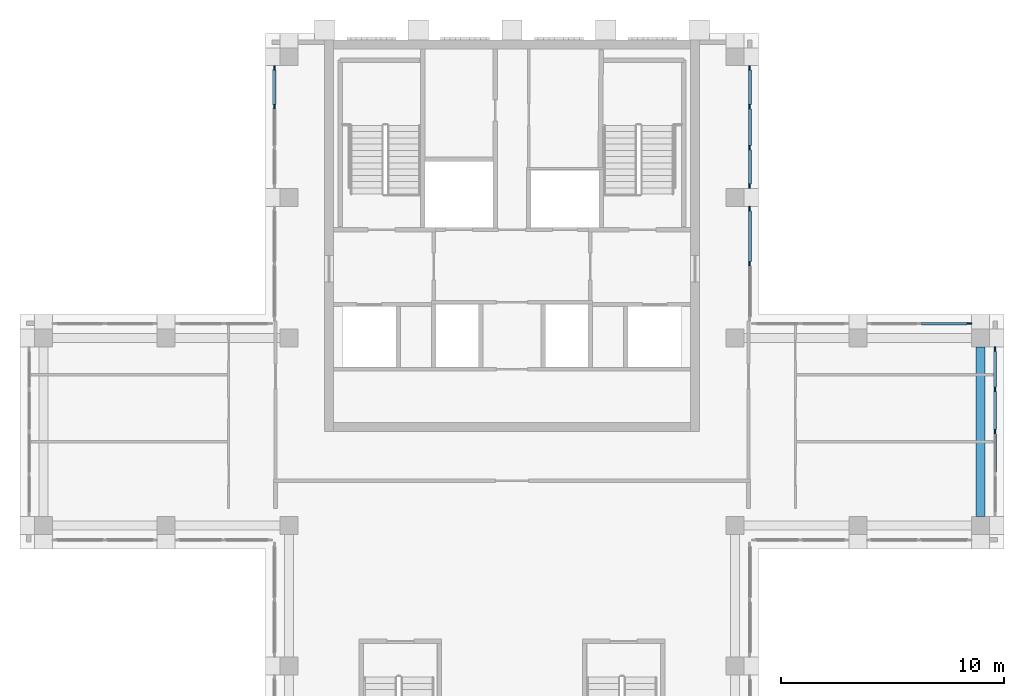
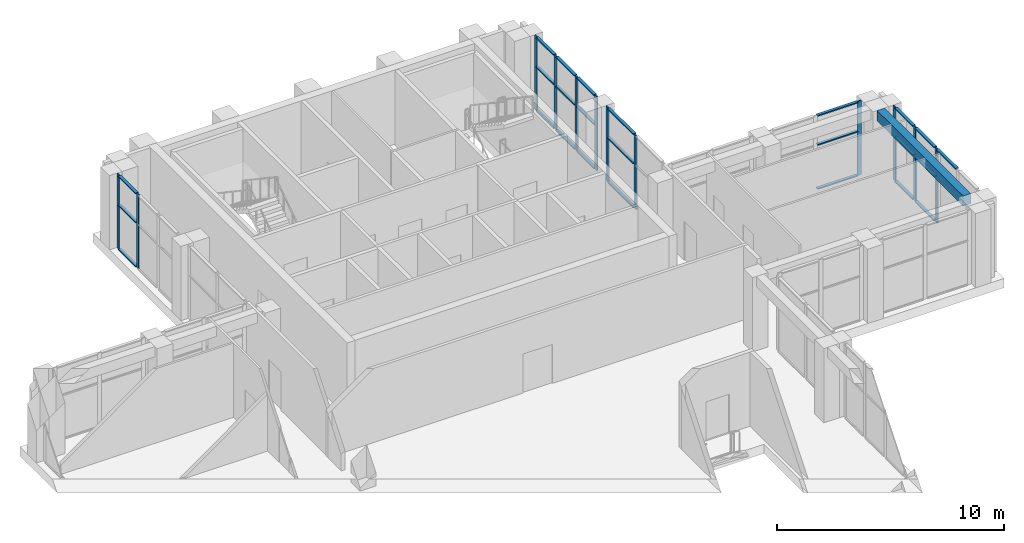
# One storey, part 6 of 14: 37 members, 1 beam, 5 elements without a shape of their own.
"""IFC4 building model written with IfcOpenShell, lengths in metres."""

import ifcopenshell
import ifcopenshell.guid

model = None  # the IFC model being written
_history = None  # IfcOwnerHistory: only IFC2X3 demands one
_inside = {}  # id of a spatial element -> (the spatial element, [elements in it])
_under = {}  # id of a project, library or spatial element -> (it, [spatial elements below it])
_declared = {}  # id of a project -> (the project, [libraries it declares])
_typed = {}  # id of a type object -> (the type object, [elements of that type])
_made_of = {}  # id of a material, layer set ... -> (it, [elements and type objects made of it])


def new_model(schema):
    """Start an empty IFC model of exactly this schema.

    Asked for "IFC4X3", IfcOpenShell would pick the latest addendum, in which some entities
    have other attributes; the version numbers below select the first issue.
    IFC2X3 requires an IfcOwnerHistory on every rooted entity: one is made here for all.
    """
    global model, _history
    if schema == "IFC4X3":
        model = ifcopenshell.file(schema_version=(4, 3, 0, 0))
    else:
        model = ifcopenshell.file(schema=schema)
    _inside.clear()
    _under.clear()
    _declared.clear()
    _typed.clear()
    _made_of.clear()
    _history = None
    if model.schema == "IFC2X3":
        org = make("IfcOrganization", Name="unknown")
        user = make(
            "IfcPersonAndOrganization",
            ThePerson=make("IfcPerson", FamilyName="unknown"),
            TheOrganization=org,
        )
        app = make(
            "IfcApplication",
            ApplicationDeveloper=org,
            Version="unknown",
            ApplicationFullName="unknown",
            ApplicationIdentifier="unknown",
        )
        _history = make(
            "IfcOwnerHistory",
            OwningUser=user,
            OwningApplication=app,
            ChangeAction="ADDED",
            CreationDate=0,
        )
    return model


def make(cls, **values):
    """One entity of the class cls with the attributes given. An attribute that is None is left unset."""
    return model.create_entity(
        cls, **{name: value for name, value in values.items() if value is not None}
    )


def rooted(cls, **values):
    """An entity with a GlobalId (a new one), such as an element, a storey or a relation."""
    return make(cls, GlobalId=ifcopenshell.guid.new(), OwnerHistory=_history, **values)


def si_unit(unit_type, name, prefix=None):
    """IfcSIUnit, for example si_unit("LENGTHUNIT", "METRE", prefix="MILLI")."""
    return make("IfcSIUnit", UnitType=unit_type, Prefix=prefix, Name=name)


def assignment(units):
    """IfcUnitAssignment: the units of a project."""
    return None if units is None else make("IfcUnitAssignment", Units=units)


def point(xyz):
    """IfcCartesianPoint."""
    return None if xyz is None else make("IfcCartesianPoint", Coordinates=xyz)


def direction(xyz):
    """IfcDirection."""
    return None if xyz is None else make("IfcDirection", DirectionRatios=xyz)


def frame(location, z_axis=None, x_axis=None):
    """IfcAxis2Placement3D, a coordinate frame: its origin and axes. An axis left out is left unset."""
    return make(
        "IfcAxis2Placement3D",
        Location=point(location),
        Axis=direction(z_axis),
        RefDirection=direction(x_axis),
    )


def frame_2d(location, x_axis=None):
    """IfcAxis2Placement2D, a coordinate frame in the plane: its origin and x axis."""
    return make(
        "IfcAxis2Placement2D", Location=point(location), RefDirection=direction(x_axis)
    )


def origin():
    """The frame at (0, 0, 0) with its axes left unset."""
    return frame((0.0, 0.0, 0.0))


def origin_2d():
    """The frame at (0, 0) in the plane with its x axis left unset."""
    return frame_2d((0.0, 0.0))


def place(relative_to, where):
    """IfcLocalPlacement: puts the frame where relative to a parent placement (None: the world)."""
    return make(
        "IfcLocalPlacement", PlacementRelTo=relative_to, RelativePlacement=where
    )


def context(
    kind, dimensions, precision=None, world=None, true_north=None, identifier=None
):
    """IfcGeometricRepresentationContext, for example the 3D "Model" context."""
    return make(
        "IfcGeometricRepresentationContext",
        ContextIdentifier=identifier,
        ContextType=kind,
        CoordinateSpaceDimension=dimensions,
        Precision=precision,
        WorldCoordinateSystem=world,
        TrueNorth=true_north,
    )


def subcontext(parent, identifier, kind, view, scale=None):
    """IfcGeometricRepresentationSubContext, for example "Body" below "Model"."""
    return make(
        "IfcGeometricRepresentationSubContext",
        ContextIdentifier=identifier,
        ContextType=kind,
        ParentContext=parent,
        TargetScale=scale,
        TargetView=view,
    )


def project(units=None, contexts=None):
    """IfcProject with its units and contexts."""
    return rooted(
        "IfcProject",
        Name="project",
        RepresentationContexts=contexts,
        UnitsInContext=assignment(units),
    )


def spatial(cls, under=None, at=None, **own):
    """A site, building, storey or space (cls), placed at a placement, below another one or the project."""
    s = rooted(cls, ObjectPlacement=at, **own)
    if under is not None:
        _under.setdefault(under.id(), (under, []))[1].append(s)
    return s


def profile(cls, at=None, kind="AREA", **sizes):
    """A parametric profile (cls). Its sizes go by their IFC names, for example OverallWidth=200.0."""
    return make(cls, ProfileType=kind, Position=at, **sizes)


def rectangle(**sizes):
    """IfcRectangleProfileDef."""
    return profile("IfcRectangleProfileDef", **sizes)


def extrude(swept, where, along, depth):
    """IfcExtrudedAreaSolid: the profile swept, set in the frame where, extruded along a direction by depth."""
    return make(
        "IfcExtrudedAreaSolid",
        SweptArea=swept,
        Position=where,
        ExtrudedDirection=direction(along),
        Depth=depth,
    )


def shape(context_of_items, identifier, shape_type, items):
    """IfcShapeRepresentation: the items that make up one representation, for example the "Body"."""
    return make(
        "IfcShapeRepresentation",
        ContextOfItems=context_of_items,
        RepresentationIdentifier=identifier,
        RepresentationType=shape_type,
        Items=items,
    )


def material(Name=None, Category=None):
    """IfcMaterial."""
    return make("IfcMaterial", Name=Name, Category=Category)


def material_profile(
    of_material, cross_section, Name=None, Category=None, Priority=None
):
    """IfcMaterialProfile: a cross section and its material."""
    return make(
        "IfcMaterialProfile",
        Name=Name,
        Material=of_material,
        Profile=cross_section,
        Priority=Priority,
        Category=Category,
    )


def profile_set(profiles, Name=None, composite=None):
    """IfcMaterialProfileSet."""
    return make(
        "IfcMaterialProfileSet",
        Name=Name,
        MaterialProfiles=profiles,
        CompositeProfile=composite,
    )


def made_of(thing, what):
    """Note that an element or type object is made of a material, layer set ...; save() writes the relation."""
    if what is not None:
        _made_of.setdefault(what.id(), (what, []))[1].append(thing)
    return thing


def type_object(cls, material=None, **own):
    """A type object (cls), such as IfcWallType, which elements share."""
    return made_of(rooted(cls, **own), material)


def element(
    cls,
    number,
    at=None,
    inside=None,
    cuts=None,
    type_object=None,
    material=None,
    context=None,
    identifier="Body",
    shape_type=None,
    held_by="IfcProductDefinitionShape",
    body=None,
    shapes=None,
    **own,
):
    """One element of the class cls, such as IfcWall. Its Tag is "e" and its number.

    at: its placement. inside: the storey or other place that contains it. cuts: it is an
    opening in that element (IfcRelVoidsElement). A single representation is given by context,
    identifier, shape_type and body (its items); several are given by shapes. held_by: the class
    of the entity that holds the representations. save() writes the other relations.
    """
    e = rooted(cls, Tag="e%d" % number, ObjectPlacement=at, **own)
    if body is not None:
        shapes = [shape(context, identifier, shape_type, body)]
    if shapes is not None:
        e.Representation = make(held_by, Representations=shapes)
    if inside is not None:
        _inside.setdefault(inside.id(), (inside, []))[1].append(e)
    if cuts is not None:
        rooted(
            "IfcRelVoidsElement", RelatingBuildingElement=cuts, RelatedOpeningElement=e
        )
    if type_object is not None:
        _typed.setdefault(type_object.id(), (type_object, []))[1].append(e)
    return made_of(e, material)


def aggregate(whole, parts):
    """IfcRelAggregates: a whole, such as a stair, and the parts it consists of."""
    return rooted("IfcRelAggregates", RelatingObject=whole, RelatedObjects=parts)


def save(model, path):
    """Write the relations noted so far, then the file.

    IfcRelAggregates (storeys below a building ...), IfcRelContainedInSpatialStructure (elements
    in a storey), IfcRelDefinesByType, IfcRelAssociatesMaterial and IfcRelDeclares: one each for
    every whole, place, type object, material and project.
    """
    for whole, parts in _under.values():
        aggregate(whole, parts)
    for where, things in _inside.values():
        rooted(
            "IfcRelContainedInSpatialStructure",
            RelatedElements=things,
            RelatingStructure=where,
        )
    for kind, things in _typed.values():
        rooted("IfcRelDefinesByType", RelatedObjects=things, RelatingType=kind)
    for what, things in _made_of.values():
        rooted("IfcRelAssociatesMaterial", RelatedObjects=things, RelatingMaterial=what)
    for by, libraries in _declared.values():
        rooted("IfcRelDeclares", RelatingContext=by, RelatedDefinitions=libraries)
    model.write(path)


model = new_model("IFC4")

# Units and contexts
model_context = context("Model", 3, precision=1e-05, world=origin(), true_north=direction((0.0, 1.0)))
body_context = subcontext(model_context, "Body", "Model", "MODEL_VIEW")
ifc_project = project(units=[si_unit("LENGTHUNIT", "METRE"), si_unit("AREAUNIT", "SQUARE_METRE"), si_unit("VOLUMEUNIT", "CUBIC_METRE"), si_unit("PLANEANGLEUNIT", "RADIAN"), si_unit("MASSUNIT", "GRAM", prefix="KILO")], contexts=[model_context])

# Site, building, storey
site_placement = place(None, origin())
site = spatial("IfcSite", under=ifc_project, at=site_placement, CompositionType="ELEMENT")
building_placement = place(site_placement, origin())
building = spatial("IfcBuilding", under=site, at=building_placement, Name="Vermilion Ogive Tower", CompositionType="ELEMENT")
storey_placement = place(building_placement, frame((0.0, 0.0, 289.35009765625)))
storey = spatial("IfcBuildingStorey", under=building, at=storey_placement, Name="L75", CompositionType="ELEMENT", Elevation=289.35009765625)

# Curtain wall, members
ifc_material_1 = material(Name="Low-iron laminated glazing in aluminium frame", Category="aluminium")
curtain_wall_type = type_object("IfcCurtainWallType", Name="Curtain wall CW3", PredefinedType="NOTDEFINED", material=ifc_material_1)
curtain_wall_1_placement = place(storey_placement, origin())
curtain_wall_1 = element("IfcCurtainWall", 1, at=curtain_wall_1_placement, inside=storey, type_object=curtain_wall_type, Name="CW3 glazing E1", PredefinedType="NOTDEFINED")
ifc_material_2 = material(Name="Aluminium mullion", Category="aluminium")
ifc_material_profile_1 = material_profile(ifc_material_2, rectangle(XDim=0.06005859375, YDim=0.199951171875, at=origin_2d()), Name="AL 60x200")
ifc_profile_set_1 = profile_set([ifc_material_profile_1], Name="Aluminium mullion")
member_type_1 = type_object("IfcMemberType", Name="CW3 mullion 60x200", PredefinedType="MULLION", material=ifc_profile_set_1)
member_1_placement = place(storey_placement, frame((21.64990234375, 4.199951171875, 0.0), z_axis=(0.0, 0.0, 1.0), x_axis=(-1.0, 0.0, 0.0)))
member_1 = element("IfcMember", 2, at=member_1_placement, type_object=member_type_1, Name="CW3-E1 mullion 3", PredefinedType="MULLION", context=body_context, shape_type="SweptSolid", body=[
    extrude(rectangle(XDim=0.06005859375, YDim=0.199951171875, at=origin_2d()), origin(), (0.0, 0.0, 1.0), 4.0),
])
member_2_placement = place(storey_placement, frame((21.64990234375, 6.10009765625, 0.0), z_axis=(0.0, 0.0, 1.0), x_axis=(-1.0, 0.0, 0.0)))
member_2 = element("IfcMember", 3, at=member_2_placement, type_object=member_type_1, Name="CW3-E1 mullion 4", PredefinedType="MULLION", context=body_context, shape_type="SweptSolid", body=[
    extrude(rectangle(XDim=0.06005859375, YDim=0.199951171875, at=origin_2d()), origin(), (0.0, 0.0, 1.0), 4.0),
])
member_3_placement = place(storey_placement, frame((21.64990234375, 7.89990234375, 0.0), z_axis=(0.0, 0.0, 1.0), x_axis=(-1.0, 0.0, 0.0)))
member_3 = element("IfcMember", 4, at=member_3_placement, type_object=member_type_1, Name="CW3-E1 mullion 5", PredefinedType="MULLION", context=body_context, shape_type="SweptSolid", body=[
    extrude(rectangle(XDim=0.06005859375, YDim=0.199951171875, at=origin_2d()), origin(), (0.0, 0.0, 1.0), 4.0),
])

# Curtain wall, member
curtain_wall_2_placement = place(storey_placement, origin())
curtain_wall_2 = element("IfcCurtainWall", 5, at=curtain_wall_2_placement, inside=storey, type_object=curtain_wall_type, Name="CW3 glazing X31", PredefinedType="NOTDEFINED")
member_4_placement = place(storey_placement, frame((20.5, 9.050048828125, 0.0), z_axis=(0.0, 0.0, 1.0), x_axis=(0.0, -1.0, 0.0)))
member_4 = element("IfcMember", 6, at=member_4_placement, type_object=member_type_1, Name="CW3-X31 mullion 1", PredefinedType="MULLION", context=body_context, shape_type="SweptSolid", body=[
    extrude(rectangle(XDim=0.06005859375, YDim=0.199951171875, at=origin_2d()), origin(), (0.0, 0.0, 1.0), 4.0),
])

# Curtain wall, members
curtain_wall_3_placement = place(storey_placement, origin())
curtain_wall_3 = element("IfcCurtainWall", 7, at=curtain_wall_3_placement, inside=storey, type_object=curtain_wall_type, Name="CW3 glazing X41", PredefinedType="NOTDEFINED")
member_5_placement = place(storey_placement, frame((10.64990234375, 11.72509765625, 0.0), z_axis=(0.0, 0.0, 1.0), x_axis=(-1.0, 0.0, 0.0)))
member_5 = element("IfcMember", 8, at=member_5_placement, type_object=member_type_1, Name="CW3-X41 mullion 2", PredefinedType="MULLION", context=body_context, shape_type="SweptSolid", body=[
    extrude(rectangle(XDim=0.06005859375, YDim=0.199951171875, at=origin_2d()), origin(), (0.0, 0.0, 1.0), 4.0),
])
member_6_placement = place(storey_placement, frame((10.64990234375, 14.199951171875, 0.0), z_axis=(0.0, 0.0, 1.0), x_axis=(-1.0, 0.0, 0.0)))
member_6 = element("IfcMember", 9, at=member_6_placement, type_object=member_type_1, Name="CW3-X41 mullion 3", PredefinedType="MULLION", context=body_context, shape_type="SweptSolid", body=[
    extrude(rectangle(XDim=0.06005859375, YDim=0.199951171875, at=origin_2d()), origin(), (0.0, 0.0, 1.0), 4.0),
])

curtain_wall_4_placement = place(storey_placement, origin())
curtain_wall_4 = element("IfcCurtainWall", 10, at=curtain_wall_4_placement, inside=storey, type_object=curtain_wall_type, Name="CW3 glazing X42", PredefinedType="NOTDEFINED")
member_7_placement = place(storey_placement, frame((10.64990234375, 15.199951171875, 0.0), z_axis=(0.0, 0.0, 1.0), x_axis=(-1.0, 0.0, 0.0)))
member_7 = element("IfcMember", 11, at=member_7_placement, type_object=member_type_1, Name="CW3-X42 mullion 1", PredefinedType="MULLION", context=body_context, shape_type="SweptSolid", body=[
    extrude(rectangle(XDim=0.06005859375, YDim=0.199951171875, at=origin_2d()), origin(), (0.0, 0.0, 1.0), 4.0),
])
member_8_placement = place(storey_placement, frame((10.64990234375, 16.933349609375, 0.0), z_axis=(0.0, 0.0, 1.0), x_axis=(-1.0, 0.0, 0.0)))
member_8 = element("IfcMember", 12, at=member_8_placement, type_object=member_type_1, Name="CW3-X42 mullion 2", PredefinedType="MULLION", context=body_context, shape_type="SweptSolid", body=[
    extrude(rectangle(XDim=0.06005859375, YDim=0.199951171875, at=origin_2d()), origin(), (0.0, 0.0, 1.0), 4.0),
])
member_9_placement = place(storey_placement, frame((10.64990234375, 18.7666015625, 0.0), z_axis=(0.0, 0.0, 1.0), x_axis=(-1.0, 0.0, 0.0)))
member_9 = element("IfcMember", 13, at=member_9_placement, type_object=member_type_1, Name="CW3-X42 mullion 3", PredefinedType="MULLION", context=body_context, shape_type="SweptSolid", body=[
    extrude(rectangle(XDim=0.06005859375, YDim=0.199951171875, at=origin_2d()), origin(), (0.0, 0.0, 1.0), 4.0),
])
member_10_placement = place(storey_placement, frame((10.64990234375, 20.5, 0.0), z_axis=(0.0, 0.0, 1.0), x_axis=(-1.0, 0.0, 0.0)))
member_10 = element("IfcMember", 14, at=member_10_placement, type_object=member_type_1, Name="CW3-X42 mullion 4", PredefinedType="MULLION", context=body_context, shape_type="SweptSolid", body=[
    extrude(rectangle(XDim=0.06005859375, YDim=0.199951171875, at=origin_2d()), origin(), (0.0, 0.0, 1.0), 4.0),
])

curtain_wall_5_placement = place(storey_placement, origin())
curtain_wall_5 = element("IfcCurtainWall", 15, at=curtain_wall_5_placement, inside=storey, type_object=curtain_wall_type, Name="CW3 glazing X51", PredefinedType="NOTDEFINED")
member_11_placement = place(storey_placement, frame((-10.64990234375, 20.5, 0.0), z_axis=(0.0, 0.0, 1.0), x_axis=(1.0, 0.0, 0.0)))
member_11 = element("IfcMember", 16, at=member_11_placement, type_object=member_type_1, Name="CW3-X51 mullion 1", PredefinedType="MULLION", context=body_context, shape_type="SweptSolid", body=[
    extrude(rectangle(XDim=0.06005859375, YDim=0.199951171875, at=origin_2d()), origin(), (0.0, 0.0, 1.0), 4.0),
])
member_12_placement = place(storey_placement, frame((-10.64990234375, 18.7666015625, 0.0), z_axis=(0.0, 0.0, 1.0), x_axis=(1.0, 0.0, 0.0)))
member_12 = element("IfcMember", 17, at=member_12_placement, type_object=member_type_1, Name="CW3-X51 mullion 2", PredefinedType="MULLION", context=body_context, shape_type="SweptSolid", body=[
    extrude(rectangle(XDim=0.06005859375, YDim=0.199951171875, at=origin_2d()), origin(), (0.0, 0.0, 1.0), 4.0),
])

# Member
ifc_material_3 = material(Name="Aluminium transom", Category="aluminium")
ifc_material_profile_2 = material_profile(ifc_material_3, rectangle(XDim=0.14990234375, YDim=0.06005859375, at=origin_2d()), Name="AL 60x150")
ifc_profile_set_2 = profile_set([ifc_material_profile_2], Name="Aluminium transom")
member_type_2 = type_object("IfcMemberType", Name="CW3 transom 60x150", PredefinedType="USERDEFINED", material=ifc_profile_set_2)
member_13_placement = place(storey_placement, frame((21.64990234375, 2.39990234375, 3.969970703125), z_axis=(0.0, 1.0, 0.0), x_axis=(-1.0, 0.0, 0.0)))
member_13 = element("IfcMember", 18, at=member_13_placement, type_object=member_type_2, Name="CW3-E1 transom 2.3", ObjectType="TRANSOM", PredefinedType="USERDEFINED", context=body_context, shape_type="SweptSolid", body=[
    extrude(rectangle(XDim=0.14990234375, YDim=0.06005859375, at=origin_2d()), origin(), (0.0, 0.0, 1.0), 1.7001953125),
])

member_14_placement = place(storey_placement, frame((21.64990234375, 4.300048828125, 0.02978515625), z_axis=(0.0, 1.0, 0.0), x_axis=(-1.0, 0.0, 0.0)))
member_14 = element("IfcMember", 19, at=member_14_placement, type_object=member_type_2, Name="CW3-E1 transom 3.1", ObjectType="TRANSOM", PredefinedType="USERDEFINED", context=body_context, shape_type="SweptSolid", body=[
    extrude(rectangle(XDim=0.14990234375, YDim=0.06005859375, at=origin_2d()), origin(), (0.0, 0.0, 1.0), 1.699951171875),
])

member_15_placement = place(storey_placement, frame((21.64990234375, 4.300048828125, 2.39990234375), z_axis=(0.0, 1.0, 0.0), x_axis=(-1.0, 0.0, 0.0)))
member_15 = element("IfcMember", 20, at=member_15_placement, type_object=member_type_2, Name="CW3-E1 transom 3.2", ObjectType="TRANSOM", PredefinedType="USERDEFINED", context=body_context, shape_type="SweptSolid", body=[
    extrude(rectangle(XDim=0.14990234375, YDim=0.06005859375, at=origin_2d()), origin(), (0.0, 0.0, 1.0), 1.699951171875),
])

member_16_placement = place(storey_placement, frame((21.64990234375, 4.300048828125, 3.969970703125), z_axis=(0.0, 1.0, 0.0), x_axis=(-1.0, 0.0, 0.0)))
member_16 = element("IfcMember", 21, at=member_16_placement, type_object=member_type_2, Name="CW3-E1 transom 3.3", ObjectType="TRANSOM", PredefinedType="USERDEFINED", context=body_context, shape_type="SweptSolid", body=[
    extrude(rectangle(XDim=0.14990234375, YDim=0.06005859375, at=origin_2d()), origin(), (0.0, 0.0, 1.0), 1.699951171875),
])

member_17_placement = place(storey_placement, frame((21.64990234375, 6.199951171875, 0.02978515625), z_axis=(0.0, 1.0, 0.0), x_axis=(-1.0, 0.0, 0.0)))
member_17 = element("IfcMember", 22, at=member_17_placement, type_object=member_type_2, Name="CW3-E1 transom 4.1", ObjectType="TRANSOM", PredefinedType="USERDEFINED", context=body_context, shape_type="SweptSolid", body=[
    extrude(rectangle(XDim=0.14990234375, YDim=0.06005859375, at=origin_2d()), origin(), (0.0, 0.0, 1.0), 1.60009765625),
])

member_18_placement = place(storey_placement, frame((21.64990234375, 6.199951171875, 2.39990234375), z_axis=(0.0, 1.0, 0.0), x_axis=(-1.0, 0.0, 0.0)))
member_18 = element("IfcMember", 23, at=member_18_placement, type_object=member_type_2, Name="CW3-E1 transom 4.2", ObjectType="TRANSOM", PredefinedType="USERDEFINED", context=body_context, shape_type="SweptSolid", body=[
    extrude(rectangle(XDim=0.14990234375, YDim=0.06005859375, at=origin_2d()), origin(), (0.0, 0.0, 1.0), 1.60009765625),
])

member_19_placement = place(storey_placement, frame((21.64990234375, 6.199951171875, 3.969970703125), z_axis=(0.0, 1.0, 0.0), x_axis=(-1.0, 0.0, 0.0)))
member_19 = element("IfcMember", 24, at=member_19_placement, type_object=member_type_2, Name="CW3-E1 transom 4.3", ObjectType="TRANSOM", PredefinedType="USERDEFINED", context=body_context, shape_type="SweptSolid", body=[
    extrude(rectangle(XDim=0.14990234375, YDim=0.06005859375, at=origin_2d()), origin(), (0.0, 0.0, 1.0), 1.60009765625),
])

aggregate(curtain_wall_1, [member_1, member_2, member_3, member_13, member_14, member_15, member_16, member_17, member_18, member_19])

member_20_placement = place(storey_placement, frame((20.39990234375, 9.050048828125, 0.02978515625), z_axis=(-1.0, 0.0, 0.0), x_axis=(0.0, -1.0, 0.0)))
member_20 = element("IfcMember", 25, at=member_20_placement, type_object=member_type_2, Name="CW3-X31 transom 1.1", ObjectType="TRANSOM", PredefinedType="USERDEFINED", context=body_context, shape_type="SweptSolid", body=[
    extrude(rectangle(XDim=0.14990234375, YDim=0.06005859375, at=origin_2d()), origin(), (0.0, 0.0, 1.0), 2.0498046875),
])

member_21_placement = place(storey_placement, frame((20.39990234375, 9.050048828125, 2.39990234375), z_axis=(-1.0, 0.0, 0.0), x_axis=(0.0, -1.0, 0.0)))
member_21 = element("IfcMember", 26, at=member_21_placement, type_object=member_type_2, Name="CW3-X31 transom 1.2", ObjectType="TRANSOM", PredefinedType="USERDEFINED", context=body_context, shape_type="SweptSolid", body=[
    extrude(rectangle(XDim=0.14990234375, YDim=0.06005859375, at=origin_2d()), origin(), (0.0, 0.0, 1.0), 2.0498046875),
])

member_22_placement = place(storey_placement, frame((20.39990234375, 9.050048828125, 3.969970703125), z_axis=(-1.0, 0.0, 0.0), x_axis=(0.0, -1.0, 0.0)))
member_22 = element("IfcMember", 27, at=member_22_placement, type_object=member_type_2, Name="CW3-X31 transom 1.3", ObjectType="TRANSOM", PredefinedType="USERDEFINED", context=body_context, shape_type="SweptSolid", body=[
    extrude(rectangle(XDim=0.14990234375, YDim=0.06005859375, at=origin_2d()), origin(), (0.0, 0.0, 1.0), 2.0498046875),
])

aggregate(curtain_wall_2, [member_4, member_20, member_21, member_22])

member_23_placement = place(storey_placement, frame((10.64990234375, 11.824951171875, 0.02978515625), z_axis=(0.0, 1.0, 0.0), x_axis=(-1.0, 0.0, 0.0)))
member_23 = element("IfcMember", 28, at=member_23_placement, type_object=member_type_2, Name="CW3-X41 transom 2.1", ObjectType="TRANSOM", PredefinedType="USERDEFINED", context=body_context, shape_type="SweptSolid", body=[
    extrude(rectangle(XDim=0.14990234375, YDim=0.06005859375, at=origin_2d()), origin(), (0.0, 0.0, 1.0), 2.275146484375),
])

member_24_placement = place(storey_placement, frame((10.64990234375, 11.824951171875, 2.39990234375), z_axis=(0.0, 1.0, 0.0), x_axis=(-1.0, 0.0, 0.0)))
member_24 = element("IfcMember", 29, at=member_24_placement, type_object=member_type_2, Name="CW3-X41 transom 2.2", ObjectType="TRANSOM", PredefinedType="USERDEFINED", context=body_context, shape_type="SweptSolid", body=[
    extrude(rectangle(XDim=0.14990234375, YDim=0.06005859375, at=origin_2d()), origin(), (0.0, 0.0, 1.0), 2.275146484375),
])

member_25_placement = place(storey_placement, frame((10.64990234375, 11.824951171875, 3.969970703125), z_axis=(0.0, 1.0, 0.0), x_axis=(-1.0, 0.0, 0.0)))
member_25 = element("IfcMember", 30, at=member_25_placement, type_object=member_type_2, Name="CW3-X41 transom 2.3", ObjectType="TRANSOM", PredefinedType="USERDEFINED", context=body_context, shape_type="SweptSolid", body=[
    extrude(rectangle(XDim=0.14990234375, YDim=0.06005859375, at=origin_2d()), origin(), (0.0, 0.0, 1.0), 2.275146484375),
])

aggregate(curtain_wall_3, [member_5, member_6, member_23, member_24, member_25])

member_26_placement = place(storey_placement, frame((10.64990234375, 15.300048828125, 0.02978515625), z_axis=(0.0, 1.0, 0.0), x_axis=(-1.0, 0.0, 0.0)))
member_26 = element("IfcMember", 31, at=member_26_placement, type_object=member_type_2, Name="CW3-X42 transom 1.1", ObjectType="TRANSOM", PredefinedType="USERDEFINED", context=body_context, shape_type="SweptSolid", body=[
    extrude(rectangle(XDim=0.14990234375, YDim=0.06005859375, at=origin_2d()), origin(), (0.0, 0.0, 1.0), 1.533203125),
])

member_27_placement = place(storey_placement, frame((10.64990234375, 15.300048828125, 2.39990234375), z_axis=(0.0, 1.0, 0.0), x_axis=(-1.0, 0.0, 0.0)))
member_27 = element("IfcMember", 32, at=member_27_placement, type_object=member_type_2, Name="CW3-X42 transom 1.2", ObjectType="TRANSOM", PredefinedType="USERDEFINED", context=body_context, shape_type="SweptSolid", body=[
    extrude(rectangle(XDim=0.14990234375, YDim=0.06005859375, at=origin_2d()), origin(), (0.0, 0.0, 1.0), 1.533203125),
])

member_28_placement = place(storey_placement, frame((10.64990234375, 15.300048828125, 3.969970703125), z_axis=(0.0, 1.0, 0.0), x_axis=(-1.0, 0.0, 0.0)))
member_28 = element("IfcMember", 33, at=member_28_placement, type_object=member_type_2, Name="CW3-X42 transom 1.3", ObjectType="TRANSOM", PredefinedType="USERDEFINED", context=body_context, shape_type="SweptSolid", body=[
    extrude(rectangle(XDim=0.14990234375, YDim=0.06005859375, at=origin_2d()), origin(), (0.0, 0.0, 1.0), 1.533203125),
])

member_29_placement = place(storey_placement, frame((10.64990234375, 17.033447265625, 0.02978515625), z_axis=(0.0, 1.0, 0.0), x_axis=(-1.0, 0.0, 0.0)))
member_29 = element("IfcMember", 34, at=member_29_placement, type_object=member_type_2, Name="CW3-X42 transom 2.1", ObjectType="TRANSOM", PredefinedType="USERDEFINED", context=body_context, shape_type="SweptSolid", body=[
    extrude(rectangle(XDim=0.14990234375, YDim=0.06005859375, at=origin_2d()), origin(), (0.0, 0.0, 1.0), 1.63330078125),
])

member_30_placement = place(storey_placement, frame((10.64990234375, 17.033447265625, 2.39990234375), z_axis=(0.0, 1.0, 0.0), x_axis=(-1.0, 0.0, 0.0)))
member_30 = element("IfcMember", 35, at=member_30_placement, type_object=member_type_2, Name="CW3-X42 transom 2.2", ObjectType="TRANSOM", PredefinedType="USERDEFINED", context=body_context, shape_type="SweptSolid", body=[
    extrude(rectangle(XDim=0.14990234375, YDim=0.06005859375, at=origin_2d()), origin(), (0.0, 0.0, 1.0), 1.63330078125),
])

member_31_placement = place(storey_placement, frame((10.64990234375, 17.033447265625, 3.969970703125), z_axis=(0.0, 1.0, 0.0), x_axis=(-1.0, 0.0, 0.0)))
member_31 = element("IfcMember", 36, at=member_31_placement, type_object=member_type_2, Name="CW3-X42 transom 2.3", ObjectType="TRANSOM", PredefinedType="USERDEFINED", context=body_context, shape_type="SweptSolid", body=[
    extrude(rectangle(XDim=0.14990234375, YDim=0.06005859375, at=origin_2d()), origin(), (0.0, 0.0, 1.0), 1.63330078125),
])

member_32_placement = place(storey_placement, frame((10.64990234375, 18.86669921875, 0.02978515625), z_axis=(0.0, 1.0, 0.0), x_axis=(-1.0, 0.0, 0.0)))
member_32 = element("IfcMember", 37, at=member_32_placement, type_object=member_type_2, Name="CW3-X42 transom 3.1", ObjectType="TRANSOM", PredefinedType="USERDEFINED", context=body_context, shape_type="SweptSolid", body=[
    extrude(rectangle(XDim=0.14990234375, YDim=0.06005859375, at=origin_2d()), origin(), (0.0, 0.0, 1.0), 1.533203125),
])

member_33_placement = place(storey_placement, frame((10.64990234375, 18.86669921875, 2.39990234375), z_axis=(0.0, 1.0, 0.0), x_axis=(-1.0, 0.0, 0.0)))
member_33 = element("IfcMember", 38, at=member_33_placement, type_object=member_type_2, Name="CW3-X42 transom 3.2", ObjectType="TRANSOM", PredefinedType="USERDEFINED", context=body_context, shape_type="SweptSolid", body=[
    extrude(rectangle(XDim=0.14990234375, YDim=0.06005859375, at=origin_2d()), origin(), (0.0, 0.0, 1.0), 1.533203125),
])

member_34_placement = place(storey_placement, frame((10.64990234375, 18.86669921875, 3.969970703125), z_axis=(0.0, 1.0, 0.0), x_axis=(-1.0, 0.0, 0.0)))
member_34 = element("IfcMember", 39, at=member_34_placement, type_object=member_type_2, Name="CW3-X42 transom 3.3", ObjectType="TRANSOM", PredefinedType="USERDEFINED", context=body_context, shape_type="SweptSolid", body=[
    extrude(rectangle(XDim=0.14990234375, YDim=0.06005859375, at=origin_2d()), origin(), (0.0, 0.0, 1.0), 1.533203125),
])

aggregate(curtain_wall_4, [member_7, member_8, member_9, member_10, member_26, member_27, member_28, member_29, member_30, member_31, member_32, member_33, member_34])

member_35_placement = place(storey_placement, frame((-10.64990234375, 20.39990234375, 0.02978515625), z_axis=(0.0, -1.0, 0.0), x_axis=(1.0, 0.0, 0.0)))
member_35 = element("IfcMember", 40, at=member_35_placement, type_object=member_type_2, Name="CW3-X51 transom 1.1", ObjectType="TRANSOM", PredefinedType="USERDEFINED", context=body_context, shape_type="SweptSolid", body=[
    extrude(rectangle(XDim=0.14990234375, YDim=0.06005859375, at=origin_2d()), origin(), (0.0, 0.0, 1.0), 1.533203125),
])

member_36_placement = place(storey_placement, frame((-10.64990234375, 20.39990234375, 2.39990234375), z_axis=(0.0, -1.0, 0.0), x_axis=(1.0, 0.0, 0.0)))
member_36 = element("IfcMember", 41, at=member_36_placement, type_object=member_type_2, Name="CW3-X51 transom 1.2", ObjectType="TRANSOM", PredefinedType="USERDEFINED", context=body_context, shape_type="SweptSolid", body=[
    extrude(rectangle(XDim=0.14990234375, YDim=0.06005859375, at=origin_2d()), origin(), (0.0, 0.0, 1.0), 1.533203125),
])

member_37_placement = place(storey_placement, frame((-10.64990234375, 20.39990234375, 3.969970703125), z_axis=(0.0, -1.0, 0.0), x_axis=(1.0, 0.0, 0.0)))
member_37 = element("IfcMember", 42, at=member_37_placement, type_object=member_type_2, Name="CW3-X51 transom 1.3", ObjectType="TRANSOM", PredefinedType="USERDEFINED", context=body_context, shape_type="SweptSolid", body=[
    extrude(rectangle(XDim=0.14990234375, YDim=0.06005859375, at=origin_2d()), origin(), (0.0, 0.0, 1.0), 1.533203125),
])

aggregate(curtain_wall_5, [member_11, member_12, member_35, member_36, member_37])

# Beam
ifc_material_4 = material(Name="Concrete B45", Category="concrete")
ifc_material_profile_3 = material_profile(ifc_material_4, rectangle(XDim=0.39990234375, YDim=0.550048828125, at=origin_2d()), Name="400 x 550")
ifc_profile_set_3 = profile_set([ifc_material_profile_3], Name="Concrete B45")
beam_type = type_object("IfcBeamType", Name="Edge beam 400 x 550 B45", PredefinedType="BEAM", material=ifc_profile_set_3)
beam_placement = place(storey_placement, frame((21.0, 0.39990234375, 3.724853515625), z_axis=(0.0, 1.0, 0.0), x_axis=(-1.0, 0.0, 0.0)))
element("IfcBeam", 43, at=beam_placement, inside=storey, type_object=beam_type, Name="L75-EB-8", PredefinedType="BEAM", context=body_context, shape_type="SweptSolid", body=[
    extrude(rectangle(XDim=0.39990234375, YDim=0.550048828125, at=origin_2d()), origin(), (0.0, 0.0, 1.0), 7.60009765625),
])

save(model, "model.ifc")
